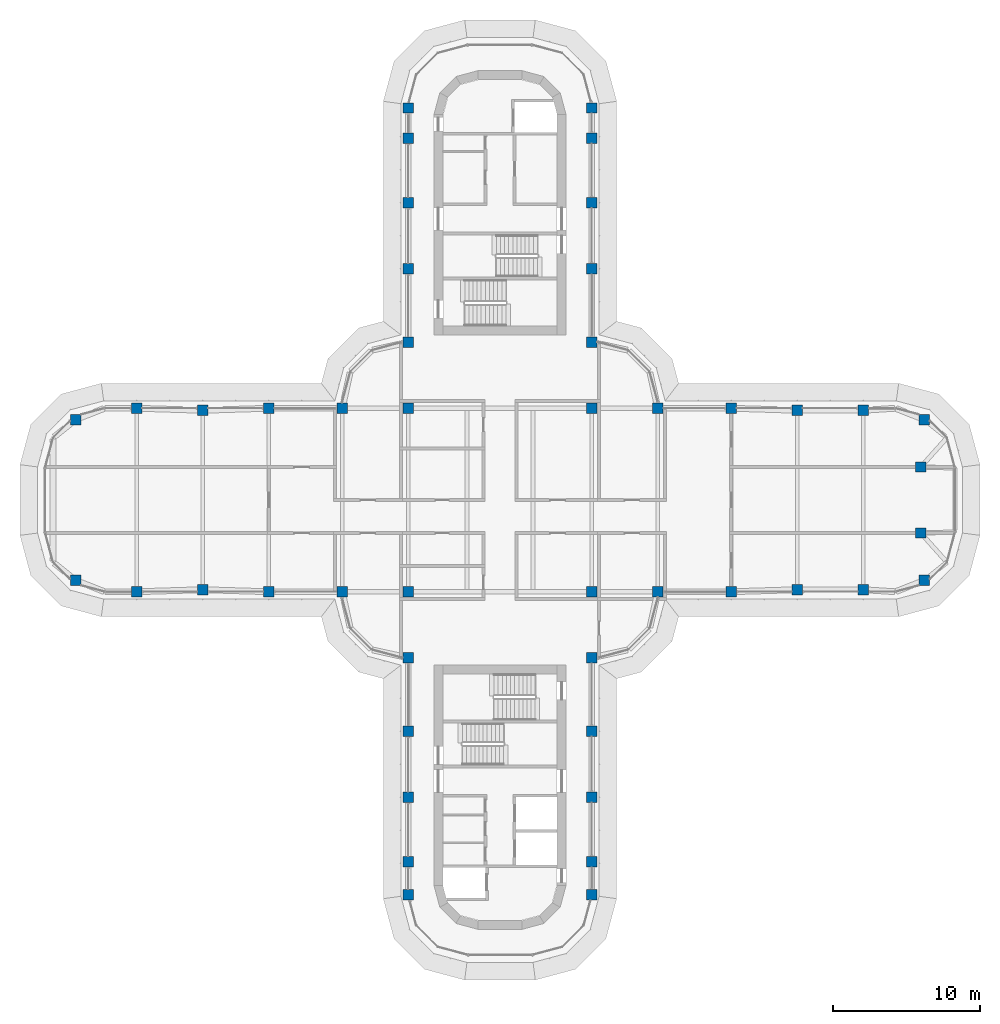
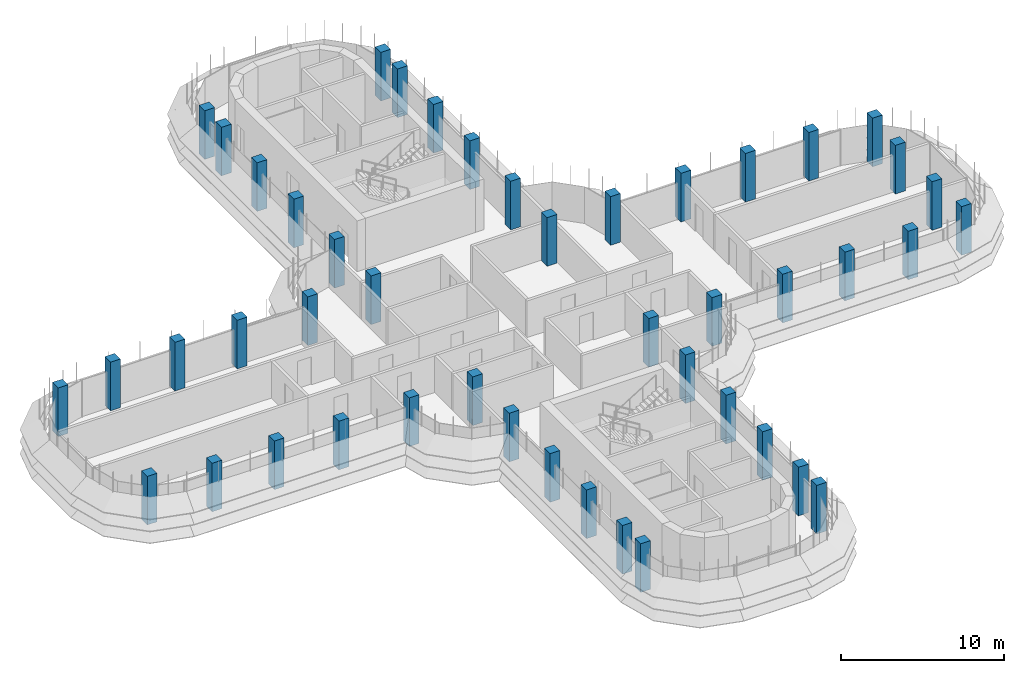
# One storey, part 1 of 19: 46 columns.
"""IFC4 building model written with IfcOpenShell, lengths in metres."""

from ifc_helpers import new_model, si_unit, direction, frame, origin, origin_2d, place, context, subcontext, project, spatial, rectangle, extrude, material, material_profile, profile_set, type_object, element, save


model = new_model("IFC4")

# Units and contexts
model_context = context("Model", 3, precision=1e-05, world=origin(), true_north=direction((0.0, 1.0)))
body_context = subcontext(model_context, "Body", "Model", "MODEL_VIEW")
ifc_project = project(units=[si_unit("LENGTHUNIT", "METRE"), si_unit("AREAUNIT", "SQUARE_METRE"), si_unit("VOLUMEUNIT", "CUBIC_METRE"), si_unit("PLANEANGLEUNIT", "RADIAN"), si_unit("MASSUNIT", "GRAM", prefix="KILO")], contexts=[model_context])

# Site, building, storey
site_placement = place(None, origin())
site = spatial("IfcSite", under=ifc_project, at=site_placement, CompositionType="ELEMENT")
building_placement = place(site_placement, origin())
building = spatial("IfcBuilding", under=site, at=building_placement, Name="Zarbagh Exchange Tower", CompositionType="ELEMENT")
storey_placement = place(building_placement, frame((0.0, 0.0, 203.0)))
storey = spatial("IfcBuildingStorey", under=building, at=storey_placement, Name="L49", CompositionType="ELEMENT", Elevation=203.0)

# Columns
ifc_material = material(Name="Concrete C50/60", Category="concrete")
ifc_material_profile = material_profile(ifc_material, rectangle(XDim=0.699951171875, YDim=0.699951171875, at=origin_2d()), Name="RC column 700 x 700 C50/60")
ifc_profile_set = profile_set([ifc_material_profile], Name="Concrete C50/60")
column_type = type_object("IfcColumnType", Name="RC column 700 x 700 C50/60", PredefinedType="COLUMN", material=ifc_profile_set)
for number, where, z_axis, x_axis, name in (
    (1, (-28.907958984375, -5.47509765625, 0.0), (0.0, 0.0, 1.0), (1.0, 0.0, 0.0), "C5 11/R"),
    (2, (-28.907958984375, 5.47509765625, 0.0), (0.0, 0.0, 1.0), (1.0, 0.0, 0.0), "C5 11/U"),
    (3, (-24.75, -6.25, 0.0), (0.0, 0.0, 1.0), (1.0, 0.0, 0.0), "C5 12/R"),
    (4, (-24.75, 6.25, 0.0), (0.0, 0.0, 1.0), (1.0, 0.0, 0.0), "C5 12/U"),
    (5, (-20.25, -6.110107421875, 0.0), (0.0, 0.0, 1.0), (1.0, 0.0, 0.0), "C5 13/R"),
    (6, (-20.25, 6.110107421875, 0.0), (0.0, 0.0, 1.0), (1.0, 0.0, 0.0), "C5 13/U"),
    (7, (-15.75, -6.25, 0.0), (0.0, 0.0, 1.0), (1.0, 0.0, 0.0), "C5 14/R"),
    (8, (-15.75, 6.25, 0.0), (0.0, 0.0, 1.0), (1.0, 0.0, 0.0), "C5 14/U"),
    (9, (-10.75, -6.25, 0.0), (0.0, 0.0, 1.0), (1.0, 0.0, 0.0), "C5 15/R"),
    (10, (-10.75, 6.25, 0.0), (0.0, 0.0, 1.0), (1.0, 0.0, 0.0), "C5 15/U"),
    (11, (-6.25, -26.89990234375, 0.0), (0.0, 0.0, 1.0), (1.0, 0.0, 0.0), "C5 16/L"),
    (12, (-6.25, -24.64990234375, 0.0), (0.0, 0.0, 1.0), (1.0, 0.0, 0.0), "C5 16/M"),
    (13, (-6.25, -20.25, 0.0), (0.0, 0.0, 1.0), (1.0, 0.0, 0.0), "C5 16/N"),
    (14, (-6.25, -15.75, 0.0), (0.0, 0.0, 1.0), (1.0, 0.0, 0.0), "C5 16/P"),
    (15, (-6.25, -10.75, 0.0), (0.0, 0.0, 1.0), (1.0, 0.0, 0.0), "C5 16/Q"),
    (16, (-6.25, -6.25, 0.0), (0.0, 0.0, 1.0), (1.0, 0.0, 0.0), "C5 16/R"),
    (17, (-6.25, 6.25, 0.0), (0.0, 0.0, 1.0), (1.0, 0.0, 0.0), "C5 16/U"),
    (18, (-6.25, 10.75, 0.0), (0.0, 0.0, 1.0), (1.0, 0.0, 0.0), "C5 16/V"),
    (19, (-6.25, 15.75, 0.0), (0.0, 0.0, 1.0), (1.0, 0.0, 0.0), "C5 16/W"),
    (20, (-6.25, 20.25, 0.0), (0.0, 0.0, 1.0), (1.0, 0.0, 0.0), "C5 16/X"),
    (21, (-6.25, 24.64990234375, 0.0), (0.0, 0.0, 1.0), (1.0, 0.0, 0.0), "C5 16/Y"),
    (22, (-6.25, 26.699951171875, 0.0), (0.0, 0.0, 1.0), (1.0, 0.0, 0.0), "C5 16/Z"),
    (23, (6.25, -26.89990234375, 0.0), (0.0, 0.0, 1.0), (1.0, 0.0, 0.0), "C5 19/L"),
    (24, (6.25, -24.64990234375, 0.0), (0.0, 0.0, 1.0), (1.0, 0.0, 0.0), "C5 19/M"),
    (25, (6.25, -20.25, 0.0), (0.0, 0.0, 1.0), (1.0, 0.0, 0.0), "C5 19/N"),
    (26, (6.25, -15.75, 0.0), (0.0, 0.0, 1.0), (1.0, 0.0, 0.0), "C5 19/P"),
    (27, (6.25, -10.75, 0.0), (0.0, 0.0, 1.0), (1.0, 0.0, 0.0), "C5 19/Q"),
    (28, (6.25, -6.25, 0.0), (0.0, 0.0, 1.0), (1.0, 0.0, 0.0), "C5 19/R"),
    (29, (6.25, 6.25, 0.0), (0.0, 0.0, 1.0), (1.0, 0.0, 0.0), "C5 19/U"),
    (30, (6.25, 10.75, 0.0), (0.0, 0.0, 1.0), (1.0, 0.0, 0.0), "C5 19/V"),
    (31, (6.25, 15.75, 0.0), (0.0, 0.0, 1.0), (1.0, 0.0, 0.0), "C5 19/W"),
    (32, (6.25, 20.25, 0.0), (0.0, 0.0, 1.0), (1.0, 0.0, 0.0), "C5 19/X"),
    (33, (6.25, 24.64990234375, 0.0), (0.0, 0.0, 1.0), (1.0, 0.0, 0.0), "C5 19/Y"),
    (34, (6.25, 26.699951171875, 0.0), (0.0, 0.0, 1.0), (1.0, 0.0, 0.0), "C5 19/Z"),
    (35, (10.75, -6.25, 0.0), (0.0, 0.0, 1.0), (1.0, 0.0, 0.0), "C5 20/R"),
    (36, (10.75, 6.25, 0.0), (0.0, 0.0, 1.0), (1.0, 0.0, 0.0), "C5 20/U"),
    (37, (15.75, -6.25, 0.0), (0.0, 0.0, 1.0), (1.0, 0.0, 0.0), "C5 21/R"),
    (38, (15.75, 6.25, 0.0), (0.0, 0.0, 1.0), (1.0, 0.0, 0.0), "C5 21/U"),
    (39, (20.25, -6.110107421875, 0.0), (0.0, 0.0, 1.0), (1.0, 0.0, 0.0), "C5 22/R"),
    (40, (20.25, 6.110107421875, 0.0), (0.0, 0.0, 1.0), (1.0, 0.0, 0.0), "C5 22/U"),
    (41, (24.75, -6.110107421875, 0.0), (0.0, 0.0, 1.0), (1.0, 0.0, 0.0), "C5 23/R"),
    (42, (24.75, 6.110107421875, 0.0), (0.0, 0.0, 1.0), (1.0, 0.0, 0.0), "C5 23/U"),
    (43, (28.907958984375, -5.47509765625, 0.0), (0.0, 0.0, 1.0), (1.0, 0.0, 0.0), "C5 24/R"),
    (44, (28.669921875, -2.25, 0.0), (0.0, 0.0, 1.0), (1.0, 0.0, 0.0), "C5 24/S"),
    (45, (28.669921875, 2.25, 0.0), (0.0, 0.0, 1.0), (1.0, 0.0, 0.0), "C5 24/T"),
    (46, (28.907958984375, 5.47509765625, 0.0), (0.0, 0.0, 1.0), (1.0, 0.0, 0.0), "C5 24/U"),
):
    element("IfcColumn", number, at=place(storey_placement, frame(where, z_axis=z_axis, x_axis=x_axis)), inside=storey, type_object=column_type, Name=name, PredefinedType="COLUMN", context=body_context, shape_type="SweptSolid", body=[
        extrude(rectangle(XDim=0.699951171875, YDim=0.699951171875, at=origin_2d()), origin(), (0.0, 0.0, 1.0), 3.64990234375),
    ])

save(model, "model.ifc")
